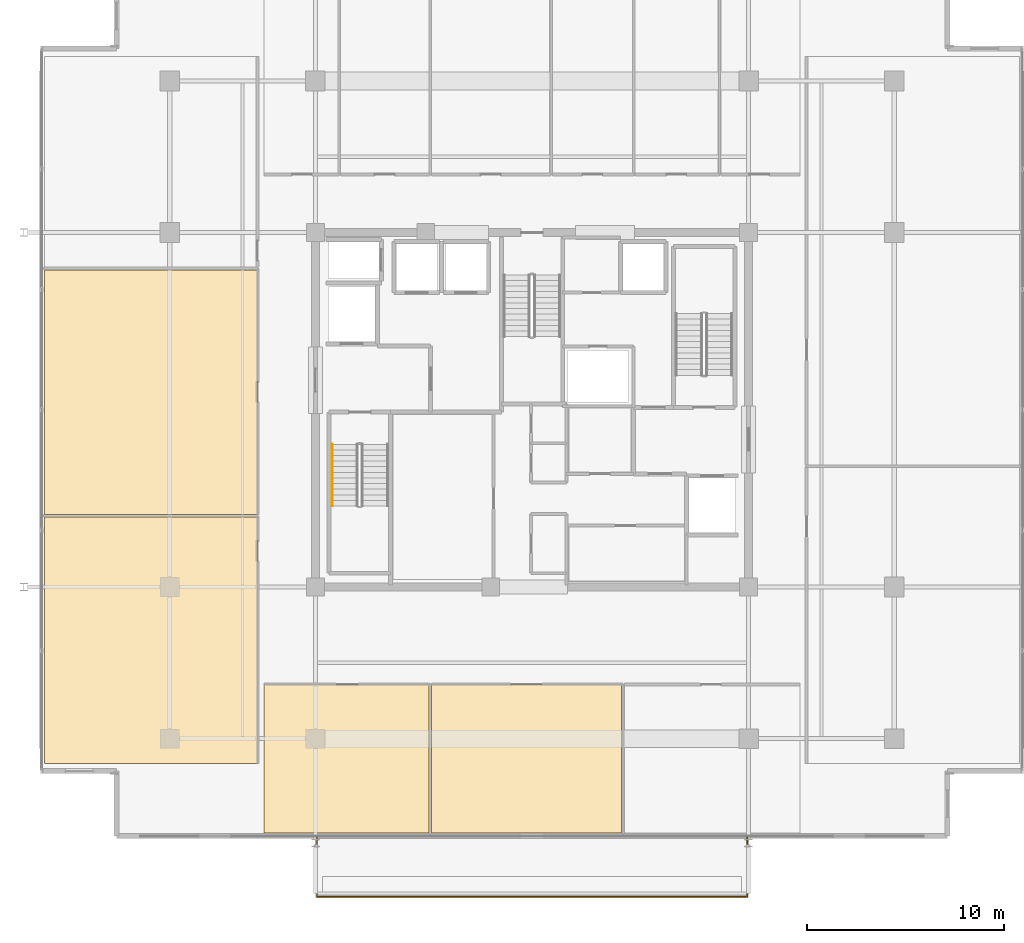
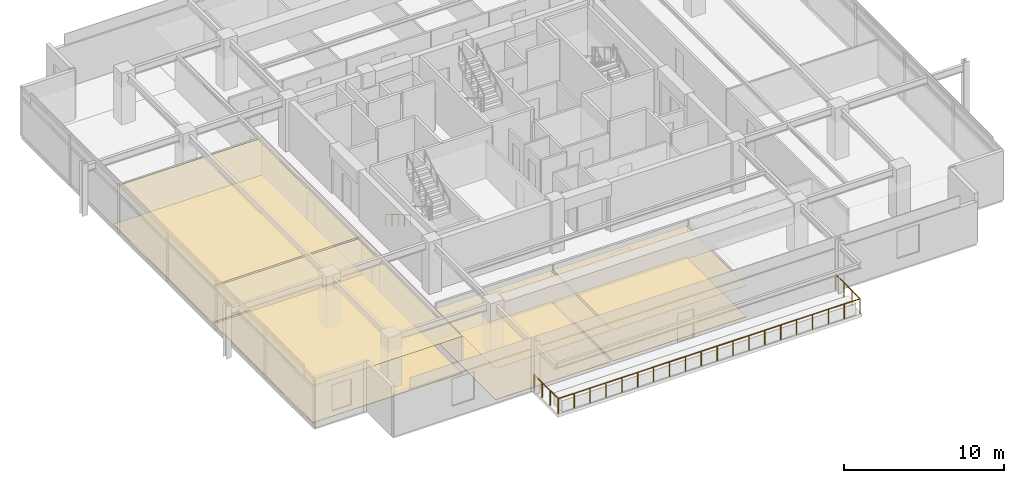
# One storey, part 17 of 20: 8 coverings, 2 railings.
"""IFC4 building model written with IfcOpenShell, lengths in metres."""

from ifc_helpers import new_model, si_unit, direction, frame, origin, origin_2d, place, context, subcontext, project, spatial, polyline, circle, outline, extrude, material, layer, layer_set, type_object, element, save


model = new_model("IFC4")

# Units and contexts
model_context = context("Model", 3, precision=1e-05, world=origin(), true_north=direction((0.0, 1.0)))
body_context = subcontext(model_context, "Body", "Model", "MODEL_VIEW")
ifc_project = project(units=[si_unit("LENGTHUNIT", "METRE"), si_unit("AREAUNIT", "SQUARE_METRE"), si_unit("VOLUMEUNIT", "CUBIC_METRE"), si_unit("PLANEANGLEUNIT", "RADIAN"), si_unit("MASSUNIT", "GRAM", prefix="KILO")], contexts=[model_context])

# Site, building, storey
site_placement = place(None, origin())
site = spatial("IfcSite", under=ifc_project, at=site_placement, CompositionType="ELEMENT")
building_placement = place(site_placement, origin())
building = spatial("IfcBuilding", under=site, at=building_placement, Name="Kovane Verandah Tower", CompositionType="ELEMENT")
storey_placement = place(building_placement, frame((0.0, 0.0, 322.800048828125)))
storey = spatial("IfcBuildingStorey", under=building, at=storey_placement, Name="L75", CompositionType="ELEMENT", Elevation=322.800048828125)

# Coverings
ifc_material_1 = material(Name="Perforated Acoustic Mineral-Fibre Ceiling Tile", Category="gypsum")
ifc_layer_1 = layer(ifc_material_1, 0.02490234375)
ifc_layer_set_1 = layer_set([ifc_layer_1], Name="Perforated Acoustic Mineral-Fibre Ceiling Tile")
covering_type_1 = type_object("IfcCoveringType", Name="CV-CEIL-25", PredefinedType="CEILING", material=ifc_layer_set_1)
covering_1_placement = place(storey_placement, frame((0.0, 0.0, 2.389892578125)))
element("IfcCovering", 1, at=covering_1_placement, inside=storey, type_object=covering_type_1, Name="L75 Executive Office S1 Acoustic Ceiling", PredefinedType="CEILING", context=body_context, shape_type="SweptSolid", body=[
    extrude(outline(polyline([(26.39990234375, 6.0), (34.761962890625, 6.0), (34.761962890625, 13.550048828125), (26.39990234375, 13.550048828125), (26.39990234375, 6.0)])), origin(), (0.0, 0.0, 1.0), 0.025146484375),
])
covering_2_placement = place(storey_placement, frame((0.0, 0.0, 2.389892578125)))
element("IfcCovering", 2, at=covering_2_placement, inside=storey, type_object=covering_type_1, Name="L75 Client Boardroom S2 Acoustic Ceiling", PredefinedType="CEILING", context=body_context, shape_type="SweptSolid", body=[
    extrude(outline(polyline([(34.902099609375, 6.0), (44.553955078125, 6.0), (44.553955078125, 13.550048828125), (34.902099609375, 13.550048828125), (34.902099609375, 6.0)])), origin(), (0.0, 0.0, 1.0), 0.025146484375),
])
covering_3_placement = place(storey_placement, frame((0.0, 0.0, 2.824951171875)))
element("IfcCovering", 3, at=covering_3_placement, inside=storey, type_object=covering_type_1, Name="L75 Focus Studio W1 Acoustic Ceiling", PredefinedType="CEILING", context=body_context, shape_type="SweptSolid", body=[
    extrude(outline(polyline([(15.25, 9.550048828125), (26.050048828125, 9.550048828125), (26.050048828125, 22.044921875), (15.25, 22.044921875), (15.25, 9.550048828125)])), origin(), (0.0, 0.0, 1.0), 0.02490234375),
])
covering_4_placement = place(storey_placement, frame((0.0, 0.0, 2.824951171875)))
element("IfcCovering", 4, at=covering_4_placement, inside=storey, type_object=covering_type_1, Name="L75 Breakout Pantry W2 Acoustic Ceiling", PredefinedType="CEILING", context=body_context, shape_type="SweptSolid", body=[
    extrude(outline(polyline([(15.25, 22.18505859375), (26.050048828125, 22.18505859375), (26.050048828125, 34.610107421875), (15.25, 34.610107421875), (15.25, 22.18505859375)])), origin(), (0.0, 0.0, 1.0), 0.02490234375),
])
ifc_material_2 = material(Name="Polished Terrazzo and Raised-Access Carpet Tile Finish", Category="concrete")
ifc_layer_2 = layer(ifc_material_2, 0.030029296875)
ifc_layer_set_2 = layer_set([ifc_layer_2], Name="Polished Terrazzo and Raised-Access Carpet Tile Finish")
covering_type_2 = type_object("IfcCoveringType", Name="CV-FLOR-30", PredefinedType="FLOORING", material=ifc_layer_set_2)
covering_5_placement = place(storey_placement, origin())
element("IfcCovering", 5, at=covering_5_placement, inside=storey, type_object=covering_type_2, Name="L75 Executive Office S1 Floor Finish", PredefinedType="FLOORING", context=body_context, shape_type="SweptSolid", body=[
    extrude(outline(polyline([(26.39990234375, 6.0), (34.761962890625, 6.0), (34.761962890625, 13.550048828125), (26.39990234375, 13.550048828125), (26.39990234375, 6.0)])), origin(), (0.0, 0.0, 1.0), 0.030029296875),
])
covering_6_placement = place(storey_placement, origin())
element("IfcCovering", 6, at=covering_6_placement, inside=storey, type_object=covering_type_2, Name="L75 Client Boardroom S2 Floor Finish", PredefinedType="FLOORING", context=body_context, shape_type="SweptSolid", body=[
    extrude(outline(polyline([(34.902099609375, 6.0), (44.553955078125, 6.0), (44.553955078125, 13.550048828125), (34.902099609375, 13.550048828125), (34.902099609375, 6.0)])), origin(), (0.0, 0.0, 1.0), 0.030029296875),
])
covering_7_placement = place(storey_placement, origin())
element("IfcCovering", 7, at=covering_7_placement, inside=storey, type_object=covering_type_2, Name="L75 Focus Studio W1 Floor Finish", PredefinedType="FLOORING", context=body_context, shape_type="SweptSolid", body=[
    extrude(outline(polyline([(15.25, 9.550048828125), (26.050048828125, 9.550048828125), (26.050048828125, 22.044921875), (15.25, 22.044921875), (15.25, 9.550048828125)])), origin(), (0.0, 0.0, 1.0), 0.030029296875),
])
covering_8_placement = place(storey_placement, origin())
element("IfcCovering", 8, at=covering_8_placement, inside=storey, type_object=covering_type_2, Name="L75 Breakout Pantry W2 Floor Finish", PredefinedType="FLOORING", context=body_context, shape_type="SweptSolid", body=[
    extrude(outline(polyline([(15.25, 22.18505859375), (26.050048828125, 22.18505859375), (26.050048828125, 34.610107421875), (15.25, 34.610107421875), (15.25, 22.18505859375)])), origin(), (0.0, 0.0, 1.0), 0.030029296875),
])

# Railings
ifc_material_3 = material(Name="Laminated Glass and Pale-Champagne Stainless Balustrade", Category="glass")
railing_type_1 = type_object("IfcRailingType", Name="RL-BAL-1150", PredefinedType="BALUSTRADE", material=ifc_material_3)
railing_1_placement = place(storey_placement, frame((29.080078125, 5.800048828125, 0.0)))
element("IfcRailing", 9, at=railing_1_placement, inside=storey, type_object=railing_type_1, Name="L75 S Verandah Glass Balustrade", PredefinedType="BALUSTRADE", context=body_context, shape_type="SweptSolid", body=[
    extrude(circle(Radius=0.02392578125, at=origin_2d()), frame((0.0, 0.0, 1.1259765625), z_axis=(0.0, -1.0, 0.0), x_axis=(1.0, 0.0, 0.0)), (0.0, 0.0, 1.0), 3.02001953125),
    extrude(circle(Radius=0.02392578125, at=origin_2d()), frame((0.0, -3.02001953125, 1.1259765625), z_axis=(1.0, 0.0, 0.0), x_axis=(0.0, 1.0, 0.0)), (0.0, 0.0, 1.0), 21.83984375),
    extrude(circle(Radius=0.02392578125, at=origin_2d()), frame((21.83984375, -3.02001953125, 1.1259765625), z_axis=(0.0, 1.0, 0.0), x_axis=(-1.0, 0.0, 0.0)), (0.0, 0.0, 1.0), 3.02001953125),
    extrude(circle(Radius=0.02099609375, at=origin_2d()), origin(), (0.0, 0.0, 1.0), 1.101806640625),
    extrude(circle(Radius=0.02099609375, at=origin_2d()), frame((0.0, -1.006591796875, 0.0)), (0.0, 0.0, 1.0), 1.101806640625),
    extrude(circle(Radius=0.02099609375, at=origin_2d()), frame((0.0, -2.013427734375, 0.0)), (0.0, 0.0, 1.0), 1.101806640625),
    extrude(circle(Radius=0.02099609375, at=origin_2d()), frame((0.0, -3.02001953125, 0.0)), (0.0, 0.0, 1.0), 1.101806640625),
    extrude(circle(Radius=0.02099609375, at=origin_2d()), frame((1.1494140625, -3.02001953125, 0.0)), (0.0, 0.0, 1.0), 1.101806640625),
    extrude(circle(Radius=0.02099609375, at=origin_2d()), frame((2.298828125, -3.02001953125, 0.0)), (0.0, 0.0, 1.0), 1.101806640625),
    extrude(circle(Radius=0.02099609375, at=origin_2d()), frame((3.448486328125, -3.02001953125, 0.0)), (0.0, 0.0, 1.0), 1.101806640625),
    extrude(circle(Radius=0.02099609375, at=origin_2d()), frame((4.597900390625, -3.02001953125, 0.0)), (0.0, 0.0, 1.0), 1.101806640625),
    extrude(circle(Radius=0.02099609375, at=origin_2d()), frame((5.747314453125, -3.02001953125, 0.0)), (0.0, 0.0, 1.0), 1.101806640625),
    extrude(circle(Radius=0.02099609375, at=origin_2d()), frame((6.896728515625, -3.02001953125, 0.0)), (0.0, 0.0, 1.0), 1.101806640625),
    extrude(circle(Radius=0.02099609375, at=origin_2d()), frame((8.046142578125, -3.02001953125, 0.0)), (0.0, 0.0, 1.0), 1.101806640625),
    extrude(circle(Radius=0.02099609375, at=origin_2d()), frame((9.19580078125, -3.02001953125, 0.0)), (0.0, 0.0, 1.0), 1.101806640625),
    extrude(circle(Radius=0.02099609375, at=origin_2d()), frame((10.34521484375, -3.02001953125, 0.0)), (0.0, 0.0, 1.0), 1.101806640625),
    extrude(circle(Radius=0.02099609375, at=origin_2d()), frame((11.49462890625, -3.02001953125, 0.0)), (0.0, 0.0, 1.0), 1.101806640625),
    extrude(circle(Radius=0.02099609375, at=origin_2d()), frame((12.64404296875, -3.02001953125, 0.0)), (0.0, 0.0, 1.0), 1.101806640625),
    extrude(circle(Radius=0.02099609375, at=origin_2d()), frame((13.793701171875, -3.02001953125, 0.0)), (0.0, 0.0, 1.0), 1.101806640625),
    extrude(circle(Radius=0.02099609375, at=origin_2d()), frame((14.943115234375, -3.02001953125, 0.0)), (0.0, 0.0, 1.0), 1.101806640625),
    extrude(circle(Radius=0.02099609375, at=origin_2d()), frame((16.092529296875, -3.02001953125, 0.0)), (0.0, 0.0, 1.0), 1.101806640625),
    extrude(circle(Radius=0.02099609375, at=origin_2d()), frame((17.241943359375, -3.02001953125, 0.0)), (0.0, 0.0, 1.0), 1.101806640625),
    extrude(circle(Radius=0.02099609375, at=origin_2d()), frame((18.391357421875, -3.02001953125, 0.0)), (0.0, 0.0, 1.0), 1.101806640625),
    extrude(circle(Radius=0.02099609375, at=origin_2d()), frame((19.541015625, -3.02001953125, 0.0)), (0.0, 0.0, 1.0), 1.101806640625),
    extrude(circle(Radius=0.02099609375, at=origin_2d()), frame((20.6904296875, -3.02001953125, 0.0)), (0.0, 0.0, 1.0), 1.101806640625),
    extrude(circle(Radius=0.02099609375, at=origin_2d()), frame((21.83984375, -3.02001953125, 0.0)), (0.0, 0.0, 1.0), 1.101806640625),
    extrude(circle(Radius=0.02099609375, at=origin_2d()), frame((21.83984375, -2.013427734375, 0.0)), (0.0, 0.0, 1.0), 1.101806640625),
    extrude(circle(Radius=0.02099609375, at=origin_2d()), frame((21.83984375, -1.006591796875, 0.0)), (0.0, 0.0, 1.0), 1.101806640625),
    extrude(circle(Radius=0.02099609375, at=origin_2d()), frame((21.83984375, 0.0, 0.0)), (0.0, 0.0, 1.0), 1.101806640625),
])
ifc_material_4 = material(Name="Brushed Stainless Steel Handrail", Category="steel")
railing_type_2 = type_object("IfcRailingType", Name="RL-HAND-920", PredefinedType="HANDRAIL", material=ifc_material_4)
railing_2_placement = place(storey_placement, frame((29.85009765625, 25.75, 0.16650390625)))
element("IfcRailing", 10, at=railing_2_placement, inside=storey, type_object=railing_type_2, Name="L75 ST-01 stair handrail 1", PredefinedType="HANDRAIL", context=body_context, shape_type="SweptSolid", body=[
    extrude(circle(Radius=0.02392578125, at=origin_2d()), frame((0.0, 0.0, 0.8759765625), z_axis=(0.0, -0.863210265497, 0.504844567704), x_axis=(1.0, 0.0, 0.0)), (0.0, 0.0, 1.0), 3.6318359375),
    extrude(circle(Radius=0.02099609375, at=origin_2d()), origin(), (0.0, 0.0, 1.0), 0.851806640625),
    extrude(circle(Radius=0.02099609375, at=origin_2d()), frame((0.0, -0.78369140625, 0.45849609375)), (0.0, 0.0, 1.0), 0.851806640625),
    extrude(circle(Radius=0.02099609375, at=origin_2d()), frame((0.0, -1.5673828125, 0.916748046875)), (0.0, 0.0, 1.0), 0.851806640625),
    extrude(circle(Radius=0.02099609375, at=origin_2d()), frame((0.0, -2.351318359375, 1.375)), (0.0, 0.0, 1.0), 0.851806640625),
    extrude(circle(Radius=0.02099609375, at=origin_2d()), frame((0.0, -3.135009765625, 1.83349609375)), (0.0, 0.0, 1.0), 0.851806640625),
])

save(model, "model.ifc")
